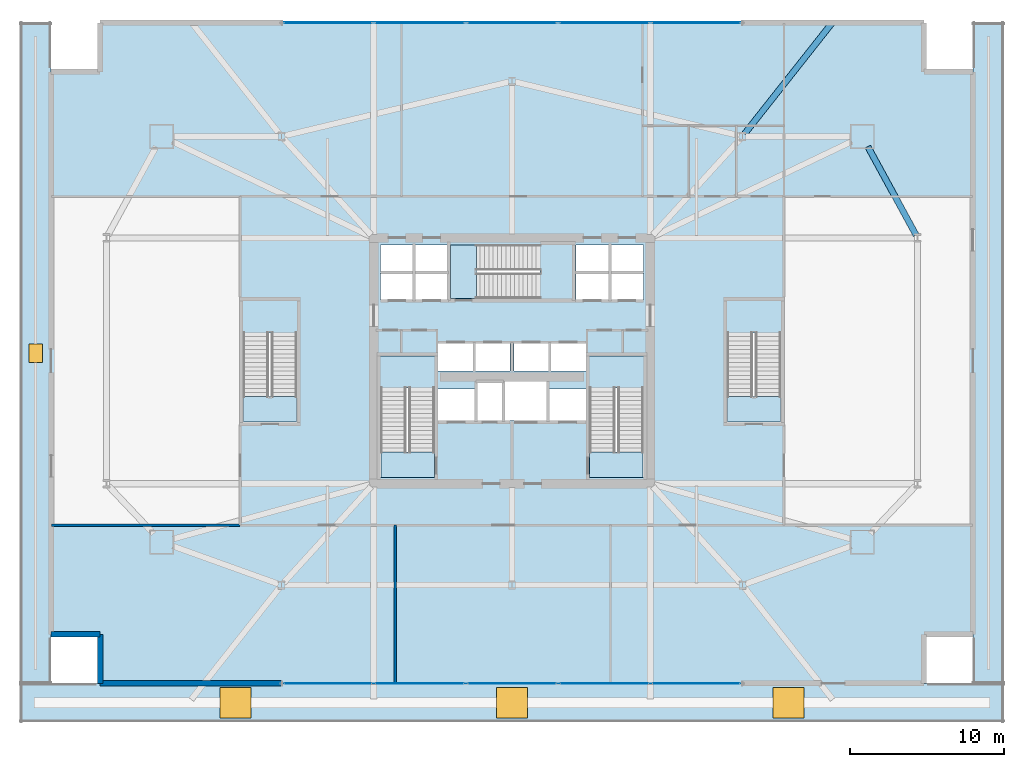
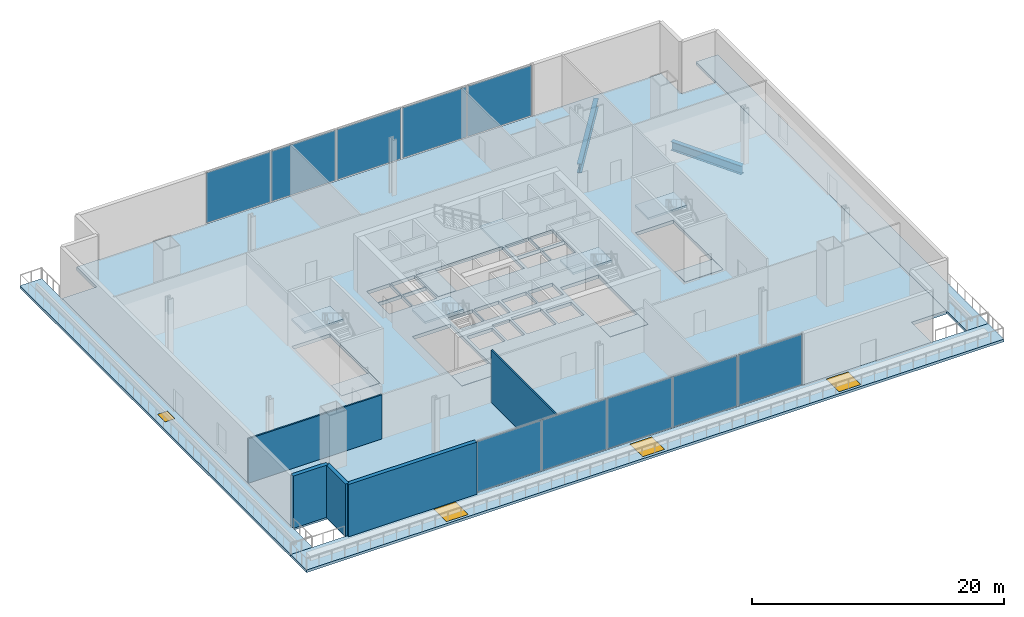
# One storey, part 9 of 20: 14 slabs, 10 plates, 5 walls, 3 windows, 2 beams, 1 door, 4 openings, 7 elements without a shape of their own.
"""IFC4 building model written with IfcOpenShell, lengths in metres."""

from ifc_helpers import new_model, si_unit, direction, frame, frame_2d, origin, origin_2d, place, context, subcontext, project, spatial, polyline, rectangle, i_section, outline, extrude, source, transform, mapped, material, layer, layer_set, material_profile, profile_set, type_object, element, fill, aggregate, save


model = new_model("IFC4")

# Units and contexts
model_context = context("Model", 3, precision=1e-05, world=origin(), true_north=direction((0.0, 1.0)))
body_context = subcontext(model_context, "Body", "Model", "MODEL_VIEW")
ifc_project = project(units=[si_unit("LENGTHUNIT", "METRE"), si_unit("AREAUNIT", "SQUARE_METRE"), si_unit("VOLUMEUNIT", "CUBIC_METRE"), si_unit("PLANEANGLEUNIT", "RADIAN"), si_unit("MASSUNIT", "GRAM", prefix="KILO")], contexts=[model_context])

# Site, building, storey
site_placement = place(None, origin())
site = spatial("IfcSite", under=ifc_project, at=site_placement, CompositionType="ELEMENT")
building_placement = place(site_placement, origin())
building = spatial("IfcBuilding", under=site, at=building_placement, Name="Haldenkirk Collegiate Tower", CompositionType="ELEMENT")
storey_placement = place(building_placement, frame((0.0, 0.0, 6.0)))
storey = spatial("IfcBuildingStorey", under=building, at=storey_placement, Name="L01", CompositionType="ELEMENT", Elevation=6.0)

# Beams
ifc_material_1 = material(Name="Steel ASTM A992 Grade 50", Category="steel")
ifc_material_profile = material_profile(ifc_material_1, i_section(OverallWidth=0.39990234375, OverallDepth=0.862060546875, WebThickness=0.019775390625, FlangeThickness=0.032470703125, at=origin_2d()), Name="W33X221")
ifc_profile_set = profile_set([ifc_material_profile], Name="Steel ASTM A992 Grade 50")
beam_type = type_object("IfcBeamType", Name="BM-GIRDER-W33X221", PredefinedType="BEAM", material=ifc_profile_set)
beam_1_placement = place(storey_placement, frame((56.876220703125, 48.04296875, -0.760986328125), z_axis=(-0.619664797767, -0.784866573634, 0.0), x_axis=(0.784866573634, -0.619664797767, 0.0)))
element("IfcBeam", 1, at=beam_1_placement, inside=storey, type_object=beam_type, Name="L01 outer podium tie girder 08", PredefinedType="BEAM", context=body_context, shape_type="SweptSolid", body=[
    extrude(i_section(OverallWidth=0.39990234375, OverallDepth=0.862060546875, WebThickness=0.019775390625, FlangeThickness=0.032470703125, at=origin_2d()), origin(), (0.0, 0.0, 1.0), 9.262939453125),
])
beam_2_placement = place(storey_placement, frame((62.30419921875, 34.175537109375, -0.760986328125), z_axis=(-0.47883650459, 0.877904096056, 0.0), x_axis=(-0.877904096056, -0.47883650459, 0.0)))
element("IfcBeam", 2, at=beam_2_placement, inside=storey, type_object=beam_type, Name="L01 podium ring girder 07", PredefinedType="BEAM", context=body_context, shape_type="SweptSolid", body=[
    extrude(i_section(OverallWidth=0.39990234375, OverallDepth=0.862060546875, WebThickness=0.019775390625, FlangeThickness=0.032470703125, at=origin_2d()), origin(), (0.0, 0.0, 1.0), 6.568115234375),
])

# Slab
ifc_material_2 = material(Name="Concrete f'c 40 MPa", Category="concrete")
ifc_layer_1 = layer(ifc_material_2, 0.330078125)
ifc_layer_set_1 = layer_set([ifc_layer_1], Name="Concrete f'c 40 MPa")
slab_type_1 = type_object("IfcSlabType", Name="SLB-FLR-330", PredefinedType="FLOOR", material=ifc_layer_set_1)
slab_1_placement = place(storey_placement, frame((0.0, 0.0, -0.330078125)))
element("IfcSlab", 3, at=slab_1_placement, inside=storey, type_object=slab_type_1, Name="L01 composite structural floor slab", PredefinedType="FLOOR", context=body_context, shape_type="SweptSolid", body=[
    extrude(outline(polyline([(9.199951171875, 5.0), (62.800048828125, 5.0), (62.800048828125, 8.199951171875), (66.0, 8.199951171875), (66.0, 44.800048828125), (62.800048828125, 44.800048828125), (62.800048828125, 48.0), (9.199951171875, 48.0), (9.199951171875, 44.800048828125), (6.0, 44.800048828125), (6.0, 8.199951171875), (9.199951171875, 8.199951171875), (9.199951171875, 5.0)]), holes=[polyline([(27.449951171875, 18.39990234375), (30.949951171875, 18.39990234375), (30.949951171875, 26.300048828125), (27.449951171875, 26.300048828125), (27.449951171875, 18.39990234375)]), polyline([(41.050048828125, 18.39990234375), (44.550048828125, 18.39990234375), (44.550048828125, 26.300048828125), (41.050048828125, 26.300048828125), (41.050048828125, 18.39990234375)]), polyline([(32.0, 30.050048828125), (39.89990234375, 30.050048828125), (39.89990234375, 33.550048828125), (32.0, 33.550048828125), (32.0, 30.050048828125)]), polyline([(33.75, 22.10009765625), (35.35009765625, 22.10009765625), (35.35009765625, 24.550048828125), (33.75, 24.550048828125), (33.75, 22.10009765625)]), polyline([(18.5, 22.0), (22.0, 22.0), (22.0, 29.89990234375), (18.5, 29.89990234375), (18.5, 22.0)]), polyline([(50.0, 22.0), (53.5, 22.0), (53.5, 29.89990234375), (50.0, 29.89990234375), (50.0, 22.0)]), polyline([(27.449951171875, 29.949951171875), (29.580078125, 29.949951171875), (29.580078125, 31.699951171875), (27.449951171875, 31.699951171875), (27.449951171875, 29.949951171875)]), polyline([(29.679931640625, 29.949951171875), (31.85009765625, 29.949951171875), (31.85009765625, 31.699951171875), (29.679931640625, 31.699951171875), (29.679931640625, 29.949951171875)]), polyline([(27.449951171875, 31.800048828125), (29.580078125, 31.800048828125), (29.580078125, 33.550048828125), (27.449951171875, 33.550048828125), (27.449951171875, 31.800048828125)]), polyline([(29.679931640625, 31.800048828125), (31.85009765625, 31.800048828125), (31.85009765625, 33.550048828125), (29.679931640625, 33.550048828125), (29.679931640625, 31.800048828125)]), polyline([(40.14990234375, 29.949951171875), (42.320068359375, 29.949951171875), (42.320068359375, 31.699951171875), (40.14990234375, 31.699951171875), (40.14990234375, 29.949951171875)]), polyline([(42.419921875, 29.949951171875), (44.550048828125, 29.949951171875), (44.550048828125, 31.699951171875), (42.419921875, 31.699951171875), (42.419921875, 29.949951171875)]), polyline([(40.14990234375, 31.800048828125), (42.320068359375, 31.800048828125), (42.320068359375, 33.550048828125), (40.14990234375, 33.550048828125), (40.14990234375, 31.800048828125)]), polyline([(42.419921875, 31.800048828125), (44.550048828125, 31.800048828125), (44.550048828125, 33.550048828125), (42.419921875, 33.550048828125), (42.419921875, 31.800048828125)]), polyline([(31.199951171875, 25.35009765625), (33.47998046875, 25.35009765625), (33.47998046875, 27.14990234375), (31.199951171875, 27.14990234375), (31.199951171875, 25.35009765625)]), polyline([(33.60009765625, 25.35009765625), (35.8798828125, 25.35009765625), (35.8798828125, 27.14990234375), (33.60009765625, 27.14990234375), (33.60009765625, 25.35009765625)]), polyline([(36.1201171875, 25.35009765625), (38.39990234375, 25.35009765625), (38.39990234375, 27.14990234375), (36.1201171875, 27.14990234375), (36.1201171875, 25.35009765625)]), polyline([(38.52001953125, 25.35009765625), (40.800048828125, 25.35009765625), (40.800048828125, 27.14990234375), (38.52001953125, 27.14990234375), (38.52001953125, 25.35009765625)]), polyline([(31.199951171875, 22.10009765625), (33.550048828125, 22.10009765625), (33.550048828125, 24.14990234375), (31.199951171875, 24.14990234375), (31.199951171875, 22.10009765625)]), polyline([(38.449951171875, 22.10009765625), (40.800048828125, 22.10009765625), (40.800048828125, 24.14990234375), (38.449951171875, 24.14990234375), (38.449951171875, 22.10009765625)]), polyline([(35.550048828125, 22.10009765625), (38.25, 22.10009765625), (38.25, 24.64990234375), (35.550048828125, 24.64990234375), (35.550048828125, 22.10009765625)])]), origin(), (0.0, 0.0, 1.0), 0.330078125),
])

# Stair, slab
stair_type = type_object("IfcStairType", Name="STR-DOGLEG-1650", PredefinedType="HALF_TURN_STAIR", material=ifc_material_2)
stair_1_placement = place(storey_placement, origin())
stair_1 = element("IfcStair", 4, at=stair_1_placement, inside=storey, type_object=stair_type, Name="L01 Core Exit Stair ST-1", PredefinedType="HALF_TURN_STAIR")
ifc_layer_2 = layer(ifc_material_2, 0.199951171875)
ifc_layer_set_2 = layer_set([ifc_layer_2], Name="Concrete f'c 40 MPa")
slab_type_2 = type_object("IfcSlabType", Name="SLB-LANDING-200", PredefinedType="LANDING", material=ifc_layer_set_2)
slab_2_placement = place(storey_placement, frame((0.0, 0.0, 2.5)))
slab_2 = element("IfcSlab", 5, at=slab_2_placement, type_object=slab_type_2, Name="ST-1 landing 1", PredefinedType="LANDING", context=body_context, shape_type="SweptSolid", body=[
    extrude(outline(polyline([(30.97509765625, 24.22509765625), (27.425048828125, 24.22509765625), (27.425048828125, 26.324951171875), (30.97509765625, 26.324951171875), (30.97509765625, 24.22509765625)])), origin(), (0.0, 0.0, 1.0), 0.199951171875),
])
aggregate(stair_1, [slab_2])

stair_2_placement = place(storey_placement, origin())
stair_2 = element("IfcStair", 6, at=stair_2_placement, inside=storey, type_object=stair_type, Name="L01 Core Exit Stair ST-2", PredefinedType="HALF_TURN_STAIR")
slab_3_placement = place(storey_placement, frame((0.0, 0.0, 2.5)))
slab_3 = element("IfcSlab", 7, at=slab_3_placement, type_object=slab_type_2, Name="ST-2 landing 1", PredefinedType="LANDING", context=body_context, shape_type="SweptSolid", body=[
    extrude(outline(polyline([(44.574951171875, 24.22509765625), (41.02490234375, 24.22509765625), (41.02490234375, 26.324951171875), (44.574951171875, 26.324951171875), (44.574951171875, 24.22509765625)])), origin(), (0.0, 0.0, 1.0), 0.199951171875),
])
aggregate(stair_2, [slab_3])

stair_3_placement = place(storey_placement, origin())
stair_3 = element("IfcStair", 8, at=stair_3_placement, inside=storey, type_object=stair_type, Name="L01 Core Exit Stair ST-3", PredefinedType="HALF_TURN_STAIR")
slab_4_placement = place(storey_placement, frame((0.0, 0.0, 2.5)))
slab_4 = element("IfcSlab", 9, at=slab_4_placement, type_object=slab_type_2, Name="ST-3 landing 1", PredefinedType="LANDING", context=body_context, shape_type="SweptSolid", body=[
    extrude(outline(polyline([(37.824951171875, 30.02490234375), (37.824951171875, 33.574951171875), (39.925048828125, 33.574951171875), (39.925048828125, 30.02490234375), (37.824951171875, 30.02490234375)])), origin(), (0.0, 0.0, 1.0), 0.199951171875),
])
aggregate(stair_3, [slab_4])

stair_4_placement = place(storey_placement, origin())
stair_4 = element("IfcStair", 10, at=stair_4_placement, inside=storey, type_object=stair_type, Name="L01 Podium Exit Stair ST-4", PredefinedType="HALF_TURN_STAIR")
slab_5_placement = place(storey_placement, frame((0.0, 0.0, 2.5)))
slab_5 = element("IfcSlab", 11, at=slab_5_placement, type_object=slab_type_2, Name="ST-4 landing 1", PredefinedType="LANDING", context=body_context, shape_type="SweptSolid", body=[
    extrude(outline(polyline([(22.02490234375, 27.824951171875), (18.47509765625, 27.824951171875), (18.47509765625, 29.925048828125), (22.02490234375, 29.925048828125), (22.02490234375, 27.824951171875)])), origin(), (0.0, 0.0, 1.0), 0.199951171875),
])
aggregate(stair_4, [slab_5])

stair_5_placement = place(storey_placement, origin())
stair_5 = element("IfcStair", 12, at=stair_5_placement, inside=storey, type_object=stair_type, Name="L01 Podium Exit Stair ST-5", PredefinedType="HALF_TURN_STAIR")
slab_6_placement = place(storey_placement, frame((0.0, 0.0, 2.5)))
slab_6 = element("IfcSlab", 13, at=slab_6_placement, type_object=slab_type_2, Name="ST-5 landing 1", PredefinedType="LANDING", context=body_context, shape_type="SweptSolid", body=[
    extrude(outline(polyline([(53.52490234375, 27.824951171875), (49.97509765625, 27.824951171875), (49.97509765625, 29.925048828125), (53.52490234375, 29.925048828125), (53.52490234375, 27.824951171875)])), origin(), (0.0, 0.0, 1.0), 0.199951171875),
])
aggregate(stair_5, [slab_6])

# Slabs
ifc_layer_3 = layer(ifc_material_2, 0.25)
ifc_layer_set_3 = layer_set([ifc_layer_3], Name="Concrete f'c 40 MPa")
slab_type_3 = type_object("IfcSlabType", Name="SLB-STAIRLAND-250", PredefinedType="LANDING", material=ifc_layer_set_3)
slab_7_placement = place(storey_placement, frame((0.0, 0.0, -0.25)))
element("IfcSlab", 14, at=slab_7_placement, inside=storey, type_object=slab_type_3, Name="L01 stair ST1 structural floor landing slab", PredefinedType="LANDING", context=body_context, shape_type="SweptSolid", body=[
    extrude(outline(polyline([(27.4599609375, 18.409912109375), (30.93994140625, 18.409912109375), (30.93994140625, 20.080078125), (27.4599609375, 20.080078125), (27.4599609375, 18.409912109375)])), origin(), (0.0, 0.0, 1.0), 0.25),
])
slab_8_placement = place(storey_placement, frame((0.0, 0.0, -0.25)))
element("IfcSlab", 15, at=slab_8_placement, inside=storey, type_object=slab_type_3, Name="L01 stair ST2 structural floor landing slab", PredefinedType="LANDING", context=body_context, shape_type="SweptSolid", body=[
    extrude(outline(polyline([(41.06005859375, 18.409912109375), (44.5400390625, 18.409912109375), (44.5400390625, 20.080078125), (41.06005859375, 20.080078125), (41.06005859375, 18.409912109375)])), origin(), (0.0, 0.0, 1.0), 0.25),
])
slab_9_placement = place(storey_placement, frame((0.0, 0.0, -0.25)))
element("IfcSlab", 16, at=slab_9_placement, inside=storey, type_object=slab_type_3, Name="L01 stair ST3 structural floor landing slab", PredefinedType="LANDING", context=body_context, shape_type="SweptSolid", body=[
    extrude(outline(polyline([(32.010009765625, 30.06005859375), (33.679931640625, 30.06005859375), (33.679931640625, 33.5400390625), (32.010009765625, 33.5400390625), (32.010009765625, 30.06005859375)])), origin(), (0.0, 0.0, 1.0), 0.25),
])
slab_10_placement = place(storey_placement, frame((0.0, 0.0, -0.25)))
element("IfcSlab", 17, at=slab_10_placement, inside=storey, type_object=slab_type_3, Name="L01 stair ST4 structural floor landing slab", PredefinedType="LANDING", context=body_context, shape_type="SweptSolid", body=[
    extrude(outline(polyline([(18.510009765625, 22.010009765625), (21.989990234375, 22.010009765625), (21.989990234375, 23.679931640625), (18.510009765625, 23.679931640625), (18.510009765625, 22.010009765625)])), origin(), (0.0, 0.0, 1.0), 0.25),
])
slab_11_placement = place(storey_placement, frame((0.0, 0.0, -0.25)))
element("IfcSlab", 18, at=slab_11_placement, inside=storey, type_object=slab_type_3, Name="L01 stair ST5 structural floor landing slab", PredefinedType="LANDING", context=body_context, shape_type="SweptSolid", body=[
    extrude(outline(polyline([(50.010009765625, 22.010009765625), (53.489990234375, 22.010009765625), (53.489990234375, 23.679931640625), (50.010009765625, 23.679931640625), (50.010009765625, 22.010009765625)])), origin(), (0.0, 0.0, 1.0), 0.25),
])

# Slab, openings, windows
ifc_layer_4 = layer(ifc_material_2, 0.25)
ifc_layer_set_4 = layer_set([ifc_layer_4], Name="Concrete f'c 40 MPa")
slab_type_4 = type_object("IfcSlabType", Name="SLB-TERR-POD-250", PredefinedType="FLOOR", material=ifc_layer_set_4)
slab_12_placement = place(storey_placement, frame((0.0, 0.0, -0.25)))
slab_12 = element("IfcSlab", 19, at=slab_12_placement, inside=storey, type_object=slab_type_4, Name="L01 cascading podium garden terrace 1", PredefinedType="FLOOR", context=body_context, shape_type="SweptSolid", body=[
    extrude(outline(polyline([(4.0, 2.5), (68.0, 2.5), (68.0, 5.0), (4.0, 5.0), (4.0, 2.5)])), origin(), (0.0, 0.0, 1.0), 0.25),
])
opening_1_placement = place(slab_12_placement, frame((18.0, 3.75, -0.010009765625)))
opening_1 = element("IfcOpeningElement", 20, at=opening_1_placement, cuts=slab_12, Name="Opening SK-01", PredefinedType="OPENING", context=body_context, shape_type="SweptSolid", body=[
    extrude(rectangle(XDim=2.0, YDim=2.0, at=origin_2d()), origin(), (0.0, 0.0, 1.0), 0.27001953125),
])
opening_2_placement = place(slab_12_placement, frame((36.0, 3.75, -0.010009765625)))
opening_2 = element("IfcOpeningElement", 21, at=opening_2_placement, cuts=slab_12, Name="Opening SK-01", PredefinedType="OPENING", context=body_context, shape_type="SweptSolid", body=[
    extrude(rectangle(XDim=2.0, YDim=2.0, at=origin_2d()), origin(), (0.0, 0.0, 1.0), 0.27001953125),
])
opening_3_placement = place(slab_12_placement, frame((54.0, 3.75, -0.010009765625)))
opening_3 = element("IfcOpeningElement", 22, at=opening_3_placement, cuts=slab_12, Name="Opening SK-01", PredefinedType="OPENING", context=body_context, shape_type="SweptSolid", body=[
    extrude(rectangle(XDim=2.0, YDim=2.0, at=origin_2d()), origin(), (0.0, 0.0, 1.0), 0.27001953125),
])
ifc_material_3 = material(Name="Low-E argon triple insulating glass", Category="glass")
ifc_layer_5 = layer(ifc_material_3, 0.090087890625)
ifc_layer_set_5 = layer_set([ifc_layer_5], Name="Low-E argon triple insulating glass")
window_type = type_object("IfcWindowType", Name="WN-SKY-2000X2000", PartitioningType="SINGLE_PANEL", PredefinedType="SKYLIGHT", material=ifc_layer_set_5)
window_1_placement = place(slab_12_placement, frame((18.0, 3.75, 0.199951171875)))
window_1 = element("IfcWindow", 23, at=window_1_placement, inside=storey, type_object=window_type, Name="L01 cascade terrace daylight skylight 1", OverallHeight=2.0, OverallWidth=2.0, PartitioningType="SINGLE_PANEL", PredefinedType="SKYLIGHT", context=body_context, shape_type="SweptSolid", body=[
    extrude(rectangle(XDim=2.0, YDim=2.0, at=origin_2d()), origin(), (0.0, 0.0, 1.0), 0.050048828125),
])
fill(opening_1, window_1)
window_2_placement = place(slab_12_placement, frame((36.0, 3.75, 0.199951171875)))
window_2 = element("IfcWindow", 24, at=window_2_placement, inside=storey, type_object=window_type, Name="L01 cascade terrace daylight skylight 2", OverallHeight=2.0, OverallWidth=2.0, PartitioningType="SINGLE_PANEL", PredefinedType="SKYLIGHT", context=body_context, shape_type="SweptSolid", body=[
    extrude(rectangle(XDim=2.0, YDim=2.0, at=origin_2d()), origin(), (0.0, 0.0, 1.0), 0.050048828125),
])
fill(opening_2, window_2)
window_3_placement = place(slab_12_placement, frame((54.0, 3.75, 0.199951171875)))
window_3 = element("IfcWindow", 25, at=window_3_placement, inside=storey, type_object=window_type, Name="L01 cascade terrace daylight skylight 3", OverallHeight=2.0, OverallWidth=2.0, PartitioningType="SINGLE_PANEL", PredefinedType="SKYLIGHT", context=body_context, shape_type="SweptSolid", body=[
    extrude(rectangle(XDim=2.0, YDim=2.0, at=origin_2d()), origin(), (0.0, 0.0, 1.0), 0.050048828125),
])
fill(opening_3, window_3)

# Slab, opening, door
slab_13_placement = place(storey_placement, frame((0.0, 0.0, -0.25)))
slab_13 = element("IfcSlab", 26, at=slab_13_placement, inside=storey, type_object=slab_type_4, Name="L01 cascading podium garden terrace 2", PredefinedType="FLOOR", context=body_context, shape_type="SweptSolid", body=[
    extrude(outline(polyline([(4.0, 5.0), (6.0, 5.0), (6.0, 48.0), (4.0, 48.0), (4.0, 5.0)])), origin(), (0.0, 0.0, 1.0), 0.25),
])
opening_4_placement = place(slab_13_placement, frame((5.0, 26.5, -0.010009765625)))
opening_4 = element("IfcOpeningElement", 27, at=opening_4_placement, cuts=slab_13, Name="Opening D-RH11", PredefinedType="OPENING", context=body_context, shape_type="SweptSolid", body=[
    extrude(rectangle(XDim=0.89990234375, YDim=1.199951171875, at=origin_2d()), origin(), (0.0, 0.0, 1.0), 0.27001953125),
])
ifc_material_4 = material(Name="Galvanized fire-rated hollow steel door", Category="steel")
ifc_layer_6 = layer(ifc_material_4, 0.06005859375)
ifc_layer_set_6 = layer_set([ifc_layer_6], Name="Galvanized fire-rated hollow steel door")
door_type = type_object("IfcDoorType", Name="DR-HATCH-900", OperationType="NOTDEFINED", PredefinedType="TRAPDOOR", material=ifc_layer_set_6)
door_placement = place(slab_13_placement, frame((5.0, 26.5, 0.199951171875)))
door = element("IfcDoor", 28, at=door_placement, inside=storey, type_object=door_type, Name="L01 north cascade terrace plenum access hatch D-RH11", OperationType="SINGLE_SWING_LEFT", OverallHeight=1.199951171875, OverallWidth=0.89990234375, PredefinedType="TRAPDOOR", context=body_context, shape_type="SweptSolid", body=[
    extrude(rectangle(XDim=0.89990234375, YDim=1.199951171875, at=origin_2d()), origin(), (0.0, 0.0, 1.0), 0.050048828125),
])
fill(opening_4, door)

# Slab
slab_14_placement = place(storey_placement, frame((0.0, 0.0, -0.25)))
element("IfcSlab", 29, at=slab_14_placement, inside=storey, type_object=slab_type_4, Name="L01 cascading podium garden terrace 3", PredefinedType="FLOOR", context=body_context, shape_type="SweptSolid", body=[
    extrude(outline(polyline([(66.0, 5.0), (68.0, 5.0), (68.0, 48.0), (66.0, 48.0), (66.0, 5.0)])), origin(), (0.0, 0.0, 1.0), 0.25),
])

# Curtain wall, plates
ifc_material_5 = material(Name="Anodised architectural bronze aluminium", Category="aluminium")
curtain_wall_type = type_object("IfcCurtainWallType", Name="CW-SYS3-PODIUM", PredefinedType="USERDEFINED", material=ifc_material_5)
curtain_wall_1_placement = place(storey_placement, origin())
curtain_wall_1 = element("IfcCurtainWall", 30, at=curtain_wall_1_placement, inside=storey, type_object=curtain_wall_type, Name="L01 Podium campus concourse and library storefront curtain wall", ObjectType="UNITISED CURTAIN WALL", PredefinedType="USERDEFINED")
ifc_layer_7 = layer(ifc_material_3, 0.050048828125)
ifc_layer_set_7 = layer_set([ifc_layer_7], Name="Low-E argon triple insulating glass")
plate_type = type_object("IfcPlateType", Name="CW-PNL-03", PredefinedType="CURTAIN_PANEL", material=ifc_layer_set_7)
shared_shape_1 = source(origin(), body_context, "Body", "SweptSolid", [
    extrude(rectangle(XDim=5.860595703125, YDim=0.050048828125, at=origin_2d()), origin(), (0.0, 0.0, 1.0), 4.8798828125),
])
plate_1_placement = place(storey_placement, frame((47.982666015625, 5.0, 0.094970703125), z_axis=(0.0, 0.0, 1.0), x_axis=(-1.0, 0.0, 0.0)))
plate_1 = element("IfcPlate", 31, at=plate_1_placement, type_object=plate_type, Name="CW-03 panel 1.1", PredefinedType="CURTAIN_PANEL", context=body_context, shape_type="MappedRepresentation", body=[
    mapped(shared_shape_1, transform((0.0, 0.0, 0.0), x_axis=(1.0, 0.0, 0.0), y_axis=(0.0, 1.0, 0.0), z_axis=(0.0, 0.0, 1.0), scale=1.0)),
])
plate_2_placement = place(storey_placement, frame((24.017333984375, 5.0, 0.094970703125), z_axis=(0.0, 0.0, 1.0), x_axis=(-1.0, 0.0, 0.0)))
plate_2 = element("IfcPlate", 32, at=plate_2_placement, type_object=plate_type, Name="CW-03 panel 5.1", PredefinedType="CURTAIN_PANEL", context=body_context, shape_type="MappedRepresentation", body=[
    mapped(shared_shape_1, transform((0.0, 0.0, 0.0), x_axis=(1.0, 0.0, 0.0), y_axis=(0.0, 1.0, 0.0), z_axis=(0.0, 0.0, 1.0), scale=1.0)),
])

curtain_wall_2_placement = place(storey_placement, origin())
curtain_wall_2 = element("IfcCurtainWall", 33, at=curtain_wall_2_placement, inside=storey, type_object=curtain_wall_type, Name="L01 Podium campus concourse and library storefront curtain wall", ObjectType="UNITISED CURTAIN WALL", PredefinedType="USERDEFINED")
plate_3_placement = place(storey_placement, frame((24.017333984375, 48.0, 0.094970703125), z_axis=(0.0, 0.0, 1.0), x_axis=(1.0, 0.0, 0.0)))
plate_3 = element("IfcPlate", 34, at=plate_3_placement, type_object=plate_type, Name="CW-03 panel 1.1", PredefinedType="CURTAIN_PANEL", context=body_context, shape_type="MappedRepresentation", body=[
    mapped(shared_shape_1, transform((0.0, 0.0, 0.0), x_axis=(1.0, 0.0, 0.0), y_axis=(0.0, 1.0, 0.0), z_axis=(0.0, 0.0, 1.0), scale=1.0)),
])
plate_4_placement = place(storey_placement, frame((47.982666015625, 48.0, 0.094970703125), z_axis=(0.0, 0.0, 1.0), x_axis=(1.0, 0.0, 0.0)))
plate_4 = element("IfcPlate", 35, at=plate_4_placement, type_object=plate_type, Name="CW-03 panel 5.1", PredefinedType="CURTAIN_PANEL", context=body_context, shape_type="MappedRepresentation", body=[
    mapped(shared_shape_1, transform((0.0, 0.0, 0.0), x_axis=(1.0, 0.0, 0.0), y_axis=(0.0, 1.0, 0.0), z_axis=(0.0, 0.0, 1.0), scale=1.0)),
])

# Plate
shared_shape_2 = source(origin(), body_context, "Body", "SweptSolid", [
    extrude(rectangle(XDim=5.908203125, YDim=0.050048828125, at=origin_2d()), origin(), (0.0, 0.0, 1.0), 4.8798828125),
])
plate_5_placement = place(storey_placement, frame((42.003173828125, 5.0, 0.094970703125), z_axis=(0.0, 0.0, 1.0), x_axis=(-1.0, 0.0, 0.0)))
plate_5 = element("IfcPlate", 36, at=plate_5_placement, type_object=plate_type, Name="CW-03 panel 2.1", PredefinedType="CURTAIN_PANEL", context=body_context, shape_type="MappedRepresentation", body=[
    mapped(shared_shape_2, transform((0.0, 0.0, 0.0), x_axis=(1.0, 0.0, 0.0), y_axis=(0.0, 1.0, 0.0), z_axis=(0.0, 0.0, 1.0), scale=1.0)),
])

plate_6_placement = place(storey_placement, frame((36.0, 5.0, 0.094970703125), z_axis=(0.0, 0.0, 1.0), x_axis=(-1.0, 0.0, 0.0)))
plate_6 = element("IfcPlate", 37, at=plate_6_placement, type_object=plate_type, Name="CW-03 panel 3.1", PredefinedType="CURTAIN_PANEL", context=body_context, shape_type="MappedRepresentation", body=[
    mapped(shared_shape_2, transform((0.0, 0.0, 0.0), x_axis=(1.0, 0.0, 0.0), y_axis=(0.0, 1.0, 0.0), z_axis=(0.0, 0.0, 1.0), scale=1.0)),
])

plate_7_placement = place(storey_placement, frame((29.996826171875, 5.0, 0.094970703125), z_axis=(0.0, 0.0, 1.0), x_axis=(-1.0, 0.0, 0.0)))
plate_7 = element("IfcPlate", 38, at=plate_7_placement, type_object=plate_type, Name="CW-03 panel 4.1", PredefinedType="CURTAIN_PANEL", context=body_context, shape_type="MappedRepresentation", body=[
    mapped(shared_shape_2, transform((0.0, 0.0, 0.0), x_axis=(1.0, 0.0, 0.0), y_axis=(0.0, 1.0, 0.0), z_axis=(0.0, 0.0, 1.0), scale=1.0)),
])

aggregate(curtain_wall_1, [plate_1, plate_5, plate_6, plate_7, plate_2])

plate_8_placement = place(storey_placement, frame((29.996826171875, 48.0, 0.094970703125), z_axis=(0.0, 0.0, 1.0), x_axis=(1.0, 0.0, 0.0)))
plate_8 = element("IfcPlate", 39, at=plate_8_placement, type_object=plate_type, Name="CW-03 panel 2.1", PredefinedType="CURTAIN_PANEL", context=body_context, shape_type="MappedRepresentation", body=[
    mapped(shared_shape_2, transform((0.0, 0.0, 0.0), x_axis=(1.0, 0.0, 0.0), y_axis=(0.0, 1.0, 0.0), z_axis=(0.0, 0.0, 1.0), scale=1.0)),
])

plate_9_placement = place(storey_placement, frame((36.0, 48.0, 0.094970703125), z_axis=(0.0, 0.0, 1.0), x_axis=(1.0, 0.0, 0.0)))
plate_9 = element("IfcPlate", 40, at=plate_9_placement, type_object=plate_type, Name="CW-03 panel 3.1", PredefinedType="CURTAIN_PANEL", context=body_context, shape_type="MappedRepresentation", body=[
    mapped(shared_shape_2, transform((0.0, 0.0, 0.0), x_axis=(1.0, 0.0, 0.0), y_axis=(0.0, 1.0, 0.0), z_axis=(0.0, 0.0, 1.0), scale=1.0)),
])

plate_10_placement = place(storey_placement, frame((42.003173828125, 48.0, 0.094970703125), z_axis=(0.0, 0.0, 1.0), x_axis=(1.0, 0.0, 0.0)))
plate_10 = element("IfcPlate", 41, at=plate_10_placement, type_object=plate_type, Name="CW-03 panel 4.1", PredefinedType="CURTAIN_PANEL", context=body_context, shape_type="MappedRepresentation", body=[
    mapped(shared_shape_2, transform((0.0, 0.0, 0.0), x_axis=(1.0, 0.0, 0.0), y_axis=(0.0, 1.0, 0.0), z_axis=(0.0, 0.0, 1.0), scale=1.0)),
])

aggregate(curtain_wall_2, [plate_3, plate_8, plate_9, plate_10, plate_4])

# Walls
ifc_material_6 = material(Name="Precast concrete f'c 40 MPa", Category="concrete")
ifc_layer_8 = layer(ifc_material_6, 0.360107421875)
ifc_layer_set_8 = layer_set([ifc_layer_8], Name="Precast concrete f'c 40 MPa")
wall_type_1 = type_object("IfcWallType", Name="WL-EXT-POD-360", PredefinedType="STANDARD", material=ifc_layer_set_8)
wall_1_placement = place(storey_placement, frame((20.991943359375, 5.0, 0.0), z_axis=(0.0, 0.0, 1.0), x_axis=(-1.0, 0.0, 0.0)))
element("IfcWall", 42, at=wall_1_placement, inside=storey, type_object=wall_type_1, Name="L01 podium precast frame pier 1R", PredefinedType="STANDARD", context=body_context, shape_type="SweptSolid", body=[
    extrude(rectangle(XDim=11.7919921875, YDim=0.360107421875, at=frame_2d((5.89599609375, 0.0))), origin(), (0.0, 0.0, 1.0), 5.070068359375),
])
for number, where, z_axis, x_axis, name in (
    (43, (9.199951171875, 8.199951171875, 0.0), (0.0, 0.0, 1.0), (-1.0, 0.0, 0.0), "L01 podium bronze precast wall 11"),
    (44, (9.199951171875, 5.0, 0.0), (0.0, 0.0, 1.0), (0.0, 1.0, 0.0), "L01 podium bronze precast wall 12"),
):
    element("IfcWall", number, at=place(storey_placement, frame(where, z_axis=z_axis, x_axis=x_axis)), inside=storey, type_object=wall_type_1, Name=name, PredefinedType="STANDARD", context=body_context, shape_type="SweptSolid", body=[
        extrude(rectangle(XDim=3.199951171875, YDim=0.360107421875, at=frame_2d((1.60009765625, 0.0))), origin(), (0.0, 0.0, 1.0), 5.070068359375),
    ])
ifc_material_7 = material(Name="Acoustic fire-rated gypsum partition", Category="concrete")
ifc_layer_9 = layer(ifc_material_7, 0.139892578125)
ifc_layer_set_9 = layer_set([ifc_layer_9], Name="Acoustic fire-rated gypsum partition")
wall_type_2 = type_object("IfcWallType", Name="WL-INT-DIV-140", PredefinedType="PARTITIONING", material=ifc_layer_set_9)
wall_2_placement = place(storey_placement, frame((6.0400390625, 15.300048828125, 0.0), z_axis=(0.0, 0.0, 1.0), x_axis=(1.0, 0.0, 0.0)))
element("IfcWall", 45, at=wall_2_placement, inside=storey, type_object=wall_type_2, Name="L01 interior partition IW-L01-WCS1", PredefinedType="PARTITIONING", context=body_context, shape_type="SweptSolid", body=[
    extrude(rectangle(XDim=12.260009765625, YDim=0.139892578125, at=frame_2d((6.1298828125, 0.0))), origin(), (0.0, 0.0, 1.0), 4.2919921875),
])
wall_3_placement = place(storey_placement, frame((28.39990234375, 5.0400390625, 0.0), z_axis=(0.0, 0.0, 1.0), x_axis=(0.0, 1.0, 0.0)))
element("IfcWall", 46, at=wall_3_placement, inside=storey, type_object=wall_type_2, Name="L01 interior partition IW-L01-SD1", PredefinedType="PARTITIONING", context=body_context, shape_type="SweptSolid", body=[
    extrude(rectangle(XDim=10.260009765625, YDim=0.139892578125, at=frame_2d((5.1298828125, 0.0))), origin(), (0.0, 0.0, 1.0), 5.070068359375),
])

save(model, "model.ifc")
